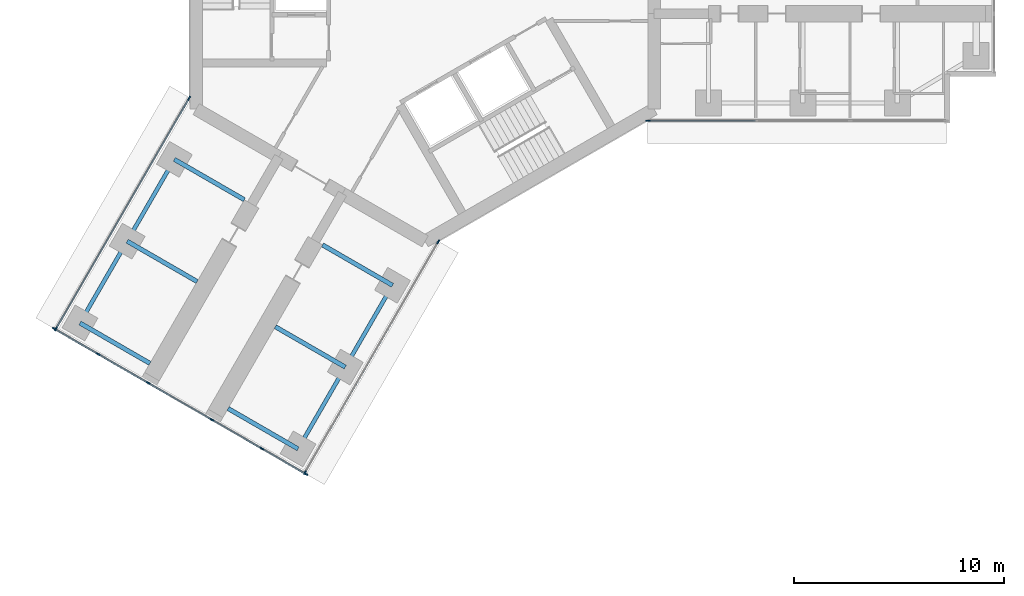
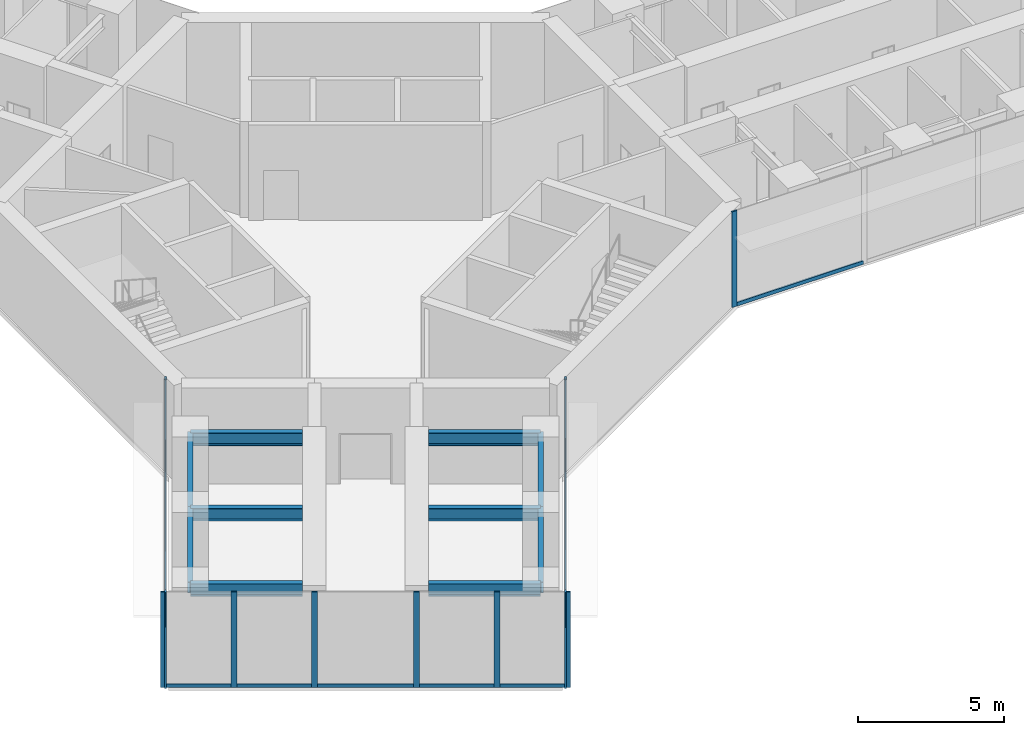
# One storey, part 2 of 23: 19 members, 10 beams, 4 elements without a shape of their own.
"""IFC4 building model written with IfcOpenShell, lengths in metres."""

from ifc_helpers import new_model, si_unit, direction, frame, origin, origin_2d, place, context, subcontext, project, spatial, rectangle, i_section, extrude, material, material_profile, profile_set, type_object, element, aggregate, save


model = new_model("IFC4")

# Units and contexts
model_context = context("Model", 3, precision=1e-05, world=origin(), true_north=direction((0.0, 1.0)))
body_context = subcontext(model_context, "Body", "Model", "MODEL_VIEW")
ifc_project = project(units=[si_unit("LENGTHUNIT", "METRE"), si_unit("AREAUNIT", "SQUARE_METRE"), si_unit("VOLUMEUNIT", "CUBIC_METRE"), si_unit("PLANEANGLEUNIT", "RADIAN"), si_unit("MASSUNIT", "GRAM", prefix="KILO")], contexts=[model_context])

# Site, building, storey
site_placement = place(None, origin())
site = spatial("IfcSite", under=ifc_project, at=site_placement, CompositionType="ELEMENT")
building_placement = place(site_placement, origin())
building = spatial("IfcBuilding", under=site, at=building_placement, Name="Upepo Twin Towers", CompositionType="ELEMENT")
storey_placement = place(building_placement, frame((0.0, 0.0, 157.5)))
storey = spatial("IfcBuildingStorey", under=building, at=storey_placement, Name="L38", CompositionType="ELEMENT", Elevation=157.5)

# Beams
ifc_material_1 = material(Name="Steel S355", Category="steel")
ifc_material_profile_1 = material_profile(ifc_material_1, i_section(OverallWidth=0.1904296875, OverallDepth=0.45703125, WebThickness=0.009033203125, FlangeThickness=0.014404296875, FilletRadius=0.01025390625, at=origin_2d()), Name="UB 457x191x74")
ifc_profile_set_1 = profile_set([ifc_material_profile_1], Name="Steel S355")
beam_type_1 = type_object("IfcBeamType", Name="Beam UB 457x191x74", PredefinedType="BEAM", material=ifc_profile_set_1)
beam_1_placement = place(storey_placement, frame((-1.553955078125, -14.69140625, 3.571533203125), z_axis=(-0.500013631625, -0.866017533419, 0.0), x_axis=(0.866017533419, -0.500013631625, 0.0)))
element("IfcBeam", 1, at=beam_1_placement, inside=storey, type_object=beam_type_1, Name="T1 edge beam CL 13.5-18.0", PredefinedType="BEAM", context=body_context, shape_type="SweptSolid", body=[
    extrude(i_section(OverallWidth=0.1904296875, OverallDepth=0.45703125, WebThickness=0.009033203125, FlangeThickness=0.014404296875, FilletRadius=0.01025390625, at=origin_2d()), origin(), (0.0, 0.0, 1.0), 4.499755859375),
])
beam_2_placement = place(storey_placement, frame((-3.803955078125, -18.58837890625, 3.571533203125), z_axis=(-0.499990139034, -0.866031096941, 0.0), x_axis=(0.866031096941, -0.499990139034, 0.0)))
element("IfcBeam", 2, at=beam_2_placement, inside=storey, type_object=beam_type_1, Name="T1 edge beam CL 18.0-22.5", PredefinedType="BEAM", context=body_context, shape_type="SweptSolid", body=[
    extrude(i_section(OverallWidth=0.1904296875, OverallDepth=0.45703125, WebThickness=0.009033203125, FlangeThickness=0.014404296875, FilletRadius=0.01025390625, at=origin_2d()), origin(), (0.0, 0.0, 1.0), 4.5),
])
beam_3_placement = place(storey_placement, frame((-11.946044921875, -8.69140625, 3.571533203125), z_axis=(-0.500013631625, -0.866017533419, 0.0), x_axis=(0.866017533419, -0.500013631625, 0.0)))
element("IfcBeam", 3, at=beam_3_placement, inside=storey, type_object=beam_type_1, Name="T1 edge beam CR 13.5-18.0", PredefinedType="BEAM", context=body_context, shape_type="SweptSolid", body=[
    extrude(i_section(OverallWidth=0.1904296875, OverallDepth=0.45703125, WebThickness=0.009033203125, FlangeThickness=0.014404296875, FilletRadius=0.01025390625, at=origin_2d()), origin(), (0.0, 0.0, 1.0), 4.499755859375),
])
beam_4_placement = place(storey_placement, frame((-14.196044921875, -12.58837890625, 3.571533203125), z_axis=(-0.499990139034, -0.866031096941, 0.0), x_axis=(0.866031096941, -0.499990139034, 0.0)))
element("IfcBeam", 4, at=beam_4_placement, inside=storey, type_object=beam_type_1, Name="T1 edge beam CR 18.0-22.5", PredefinedType="BEAM", context=body_context, shape_type="SweptSolid", body=[
    extrude(i_section(OverallWidth=0.1904296875, OverallDepth=0.45703125, WebThickness=0.009033203125, FlangeThickness=0.014404296875, FilletRadius=0.01025390625, at=origin_2d()), origin(), (0.0, 0.0, 1.0), 4.5),
])
ifc_material_2 = material(Name="Steel S355", Category="steel")
ifc_material_profile_2 = material_profile(ifc_material_2, i_section(OverallWidth=0.209228515625, OverallDepth=0.533203125, WebThickness=0.010009765625, FlangeThickness=0.015625, FilletRadius=0.0126953125, at=origin_2d()), Name="UB 533x210x92")
ifc_profile_set_2 = profile_set([ifc_material_profile_2], Name="Steel S355")
beam_type_2 = type_object("IfcBeamType", Name="Beam UB 533x210x92", PredefinedType="BEAM", material=ifc_profile_set_2)
beam_5_placement = place(storey_placement, frame((-1.553955078125, -14.69140625, 3.533447265625), z_axis=(-0.866006051527, 0.500033517596, 0.0), x_axis=(-0.500033517596, -0.866006051527, 0.0)))
element("IfcBeam", 5, at=beam_5_placement, inside=storey, type_object=beam_type_2, Name="T1 girder CL at 13.5", PredefinedType="BEAM", context=body_context, shape_type="SweptSolid", body=[
    extrude(i_section(OverallWidth=0.209228515625, OverallDepth=0.533203125, WebThickness=0.010009765625, FlangeThickness=0.015625, FilletRadius=0.0126953125, at=origin_2d()), origin(), (0.0, 0.0, 1.0), 3.849853515625),
])
beam_6_placement = place(storey_placement, frame((-3.803955078125, -18.58837890625, 3.533447265625), z_axis=(-0.866033512162, 0.499985955615, 0.0), x_axis=(-0.499985955615, -0.866033512162, 0.0)))
element("IfcBeam", 6, at=beam_6_placement, inside=storey, type_object=beam_type_2, Name="T1 girder CL at 18.0", PredefinedType="BEAM", context=body_context, shape_type="SweptSolid", body=[
    extrude(i_section(OverallWidth=0.209228515625, OverallDepth=0.533203125, WebThickness=0.010009765625, FlangeThickness=0.015625, FilletRadius=0.0126953125, at=origin_2d()), origin(), (0.0, 0.0, 1.0), 3.849609375),
])
for number, where, z_axis, x_axis, name in (
    (7, (-6.053955078125, -22.485595703125, 3.533447265625), (-0.866006051527, 0.500033517596, 0.0), (-0.500033517596, -0.866006051527, 0.0), "T1 girder CL at 22.5"),
    (8, (-11.946044921875, -8.69140625, 3.533447265625), (0.866006051527, -0.500033517596, 0.0), (0.500033517596, 0.866006051527, 0.0), "T1 girder CR at 13.5"),
    (9, (-14.196044921875, -12.58837890625, 3.533447265625), (0.866006051527, -0.500033517596, 0.0), (0.500033517596, 0.866006051527, 0.0), "T1 girder CR at 18.0"),
    (10, (-16.446044921875, -16.485595703125, 3.533447265625), (0.866006051527, -0.500033517596, 0.0), (0.500033517596, 0.866006051527, 0.0), "T1 girder CR at 22.5"),
):
    element("IfcBeam", number, at=place(storey_placement, frame(where, z_axis=z_axis, x_axis=x_axis)), inside=storey, type_object=beam_type_2, Name=name, PredefinedType="BEAM", context=body_context, shape_type="SweptSolid", body=[
        extrude(i_section(OverallWidth=0.209228515625, OverallDepth=0.533203125, WebThickness=0.010009765625, FlangeThickness=0.015625, FilletRadius=0.0126953125, at=origin_2d()), origin(), (0.0, 0.0, 1.0), 3.849853515625),
    ])

# Curtain wall, member
ifc_material_3 = material(Name="Aluminium and fritted glass", Category="aluminium")
curtain_wall_type = type_object("IfcCurtainWallType", Name="Tower curtain wall TW2, fritted glass", PredefinedType="NOTDEFINED", material=ifc_material_3)
curtain_wall_1_placement = place(storey_placement, origin())
curtain_wall_1 = element("IfcCurtainWall", 11, at=curtain_wall_1_placement, inside=storey, type_object=curtain_wall_type, Name="T1 L38 wing A flank R curtain wall", PredefinedType="NOTDEFINED")
ifc_material_4 = material(Name="Aluminium mullion", Category="aluminium")
ifc_material_profile_3 = material_profile(ifc_material_4, rectangle(XDim=0.06494140625, YDim=0.199951171875, at=origin_2d()), Name="MULLION 65x200")
ifc_profile_set_3 = profile_set([ifc_material_profile_3], Name="Aluminium mullion")
member_type_1 = type_object("IfcMemberType", Name="Mullion 65x200 TW2", PredefinedType="MULLION", material=ifc_profile_set_3)
member_1_placement = place(storey_placement, frame((10.61962890625, -6.85009765625, 0.0), z_axis=(0.0, 0.0, 1.0), x_axis=(0.0, -1.0, 0.0)))
member_1 = element("IfcMember", 12, at=member_1_placement, type_object=member_type_1, Name="T1 L38 wing A flank R curtain wall mullion 4", PredefinedType="MULLION", context=body_context, shape_type="SweptSolid", body=[
    extrude(rectangle(XDim=0.06494140625, YDim=0.199951171875, at=origin_2d()), origin(), (0.0, 0.0, 1.0), 4.0),
])

# Curtain wall, members
curtain_wall_2_placement = place(storey_placement, origin())
curtain_wall_2 = element("IfcCurtainWall", 13, at=curtain_wall_2_placement, inside=storey, type_object=curtain_wall_type, Name="T1 L38 wing C flank L curtain wall", PredefinedType="NOTDEFINED")
member_2_placement = place(storey_placement, frame((0.62255859375, -12.621826171875, 0.0), z_axis=(0.0, 0.0, 1.0), x_axis=(0.866025399212, -0.50000000792, 0.0)))
member_2 = element("IfcMember", 14, at=member_2_placement, type_object=member_type_1, Name="T1 L38 wing C flank L curtain wall mullion 1", PredefinedType="MULLION", context=body_context, shape_type="SweptSolid", body=[
    extrude(rectangle(XDim=0.06494140625, YDim=0.199951171875, at=origin_2d()), origin(), (0.0, 0.0, 1.0), 4.0),
])
member_3_placement = place(storey_placement, frame((-5.7265625, -23.61865234375, 0.0), z_axis=(0.0, 0.0, 1.0), x_axis=(0.866025399212, -0.50000000792, 0.0)))
member_3 = element("IfcMember", 15, at=member_3_placement, type_object=member_type_1, Name="T1 L38 wing C flank L curtain wall mullion 2", PredefinedType="MULLION", context=body_context, shape_type="SweptSolid", body=[
    extrude(rectangle(XDim=0.06494140625, YDim=0.199951171875, at=origin_2d()), origin(), (0.0, 0.0, 1.0), 4.0),
])

curtain_wall_3_placement = place(storey_placement, origin())
curtain_wall_3 = element("IfcCurtainWall", 16, at=curtain_wall_3_placement, inside=storey, type_object=curtain_wall_type, Name="T1 L38 wing C flank R curtain wall", PredefinedType="NOTDEFINED")
member_4_placement = place(storey_placement, frame((-17.591064453125, -16.7685546875, 0.0), z_axis=(0.0, 0.0, 1.0), x_axis=(-0.866025399212, 0.50000000792, 0.0)))
member_4 = element("IfcMember", 17, at=member_4_placement, type_object=member_type_1, Name="T1 L38 wing C flank R curtain wall mullion 1", PredefinedType="MULLION", context=body_context, shape_type="SweptSolid", body=[
    extrude(rectangle(XDim=0.06494140625, YDim=0.199951171875, at=origin_2d()), origin(), (0.0, 0.0, 1.0), 4.0),
])
member_5_placement = place(storey_placement, frame((-11.2421875, -5.77197265625, 0.0), z_axis=(0.0, 0.0, 1.0), x_axis=(-0.866025399212, 0.50000000792, 0.0)))
member_5 = element("IfcMember", 18, at=member_5_placement, type_object=member_type_1, Name="T1 L38 wing C flank R curtain wall mullion 2", PredefinedType="MULLION", context=body_context, shape_type="SweptSolid", body=[
    extrude(rectangle(XDim=0.06494140625, YDim=0.199951171875, at=origin_2d()), origin(), (0.0, 0.0, 1.0), 4.0),
])

curtain_wall_4_placement = place(storey_placement, origin())
curtain_wall_4 = element("IfcCurtainWall", 19, at=curtain_wall_4_placement, inside=storey, type_object=curtain_wall_type, Name="T1 L38 wing C nose curtain wall", PredefinedType="NOTDEFINED")
member_6_placement = place(storey_placement, frame((-17.665771484375, -16.762939453125, 0.0), z_axis=(0.0, 0.0, 1.0), x_axis=(0.499999972355, 0.866025419745, 0.0)))
member_6 = element("IfcMember", 20, at=member_6_placement, type_object=member_type_1, Name="T1 L38 wing C nose curtain wall mullion 1", PredefinedType="MULLION", context=body_context, shape_type="SweptSolid", body=[
    extrude(rectangle(XDim=0.06494140625, YDim=0.199951171875, at=origin_2d()), origin(), (0.0, 0.0, 1.0), 4.0),
])
member_7_placement = place(storey_placement, frame((-15.572021484375, -17.9716796875, 0.0), z_axis=(0.0, 0.0, 1.0), x_axis=(0.499999972355, 0.866025419745, 0.0)))
member_7 = element("IfcMember", 21, at=member_7_placement, type_object=member_type_1, Name="T1 L38 wing C nose curtain wall mullion 2", PredefinedType="MULLION", context=body_context, shape_type="SweptSolid", body=[
    extrude(rectangle(XDim=0.06494140625, YDim=0.199951171875, at=origin_2d()), origin(), (0.0, 0.0, 1.0), 4.0),
])
member_8_placement = place(storey_placement, frame((-13.1904296875, -19.3466796875, 0.0), z_axis=(0.0, 0.0, 1.0), x_axis=(0.499999972355, 0.866025419745, 0.0)))
member_8 = element("IfcMember", 22, at=member_8_placement, type_object=member_type_1, Name="T1 L38 wing C nose curtain wall mullion 3", PredefinedType="MULLION", context=body_context, shape_type="SweptSolid", body=[
    extrude(rectangle(XDim=0.06494140625, YDim=0.199951171875, at=origin_2d()), origin(), (0.0, 0.0, 1.0), 4.0),
])
member_9_placement = place(storey_placement, frame((-10.159423828125, -21.0966796875, 0.0), z_axis=(0.0, 0.0, 1.0), x_axis=(0.499999972355, 0.866025419745, 0.0)))
member_9 = element("IfcMember", 23, at=member_9_placement, type_object=member_type_1, Name="T1 L38 wing C nose curtain wall mullion 4", PredefinedType="MULLION", context=body_context, shape_type="SweptSolid", body=[
    extrude(rectangle(XDim=0.06494140625, YDim=0.199951171875, at=origin_2d()), origin(), (0.0, 0.0, 1.0), 4.0),
])
member_10_placement = place(storey_placement, frame((-7.77783203125, -22.4716796875, 0.0), z_axis=(0.0, 0.0, 1.0), x_axis=(0.499999972355, 0.866025419745, 0.0)))
member_10 = element("IfcMember", 24, at=member_10_placement, type_object=member_type_1, Name="T1 L38 wing C nose curtain wall mullion 5", PredefinedType="MULLION", context=body_context, shape_type="SweptSolid", body=[
    extrude(rectangle(XDim=0.06494140625, YDim=0.199951171875, at=origin_2d()), origin(), (0.0, 0.0, 1.0), 4.0),
])
member_11_placement = place(storey_placement, frame((-5.684326171875, -23.680419921875, 0.0), z_axis=(0.0, 0.0, 1.0), x_axis=(0.499999972355, 0.866025419745, 0.0)))
member_11 = element("IfcMember", 25, at=member_11_placement, type_object=member_type_1, Name="T1 L38 wing C nose curtain wall mullion 6", PredefinedType="MULLION", context=body_context, shape_type="SweptSolid", body=[
    extrude(rectangle(XDim=0.06494140625, YDim=0.199951171875, at=origin_2d()), origin(), (0.0, 0.0, 1.0), 4.0),
])

# Member
ifc_material_5 = material(Name="Aluminium transom", Category="aluminium")
ifc_material_profile_4 = material_profile(ifc_material_5, rectangle(XDim=0.06494140625, YDim=0.14990234375, at=origin_2d()), Name="TRANSOM 65x150")
ifc_profile_set_4 = profile_set([ifc_material_profile_4], Name="Aluminium transom")
member_type_2 = type_object("IfcMemberType", Name="Transom 65x150 TW2", PredefinedType="USERDEFINED", material=ifc_profile_set_4)
member_12_placement = place(storey_placement, frame((15.717529296875, -6.85009765625, 0.074951171875), z_axis=(-1.0, 0.0, 0.0), x_axis=(0.0, -1.0, 0.0)))
member_12 = element("IfcMember", 26, at=member_12_placement, type_object=member_type_2, Name="T1 L38 wing A flank R curtain wall transom 3", ObjectType="TRANSOM", PredefinedType="USERDEFINED", context=body_context, shape_type="SweptSolid", body=[
    extrude(rectangle(XDim=0.06494140625, YDim=0.14990234375, at=origin_2d()), origin(), (0.0, 0.0, 1.0), 5.0654296875),
])

aggregate(curtain_wall_1, [member_1, member_12])

member_13_placement = place(storey_placement, frame((0.606201171875, -12.64990234375, 0.074951171875), z_axis=(-0.499996807431, -0.866027247007, 0.0), x_axis=(0.866027247007, -0.499996807431, 0.0)))
member_13 = element("IfcMember", 27, at=member_13_placement, type_object=member_type_2, Name="T1 L38 wing C flank L curtain wall transom 1", ObjectType="TRANSOM", PredefinedType="USERDEFINED", context=body_context, shape_type="SweptSolid", body=[
    extrude(rectangle(XDim=0.06494140625, YDim=0.14990234375, at=origin_2d()), origin(), (0.0, 0.0, 1.0), 12.6328125),
])

aggregate(curtain_wall_2, [member_2, member_3, member_13])

member_14_placement = place(storey_placement, frame((-17.57470703125, -16.740478515625, 0.074951171875), z_axis=(0.499996807431, 0.866027247007, 0.0), x_axis=(-0.866027247007, 0.499996807431, 0.0)))
member_14 = element("IfcMember", 28, at=member_14_placement, type_object=member_type_2, Name="T1 L38 wing C flank R curtain wall transom 1", ObjectType="TRANSOM", PredefinedType="USERDEFINED", context=body_context, shape_type="SweptSolid", body=[
    extrude(rectangle(XDim=0.06494140625, YDim=0.14990234375, at=origin_2d()), origin(), (0.0, 0.0, 1.0), 12.6328125),
])

aggregate(curtain_wall_3, [member_4, member_5, member_14])

member_15_placement = place(storey_placement, frame((-17.6376953125, -16.779296875, 0.074951171875), z_axis=(0.866069800327, -0.499923095048, 0.0), x_axis=(0.499923095048, 0.866069800327, 0.0)))
member_15 = element("IfcMember", 29, at=member_15_placement, type_object=member_type_2, Name="T1 L38 wing C nose curtain wall transom 1", ObjectType="TRANSOM", PredefinedType="USERDEFINED", context=body_context, shape_type="SweptSolid", body=[
    extrude(rectangle(XDim=0.06494140625, YDim=0.14990234375, at=origin_2d()), origin(), (0.0, 0.0, 1.0), 2.352294921875),
])

member_16_placement = place(storey_placement, frame((-15.5439453125, -17.988037109375, 0.074951171875), z_axis=(0.8660523339, -0.49995335277, 0.0), x_axis=(0.49995335277, 0.8660523339, 0.0)))
member_16 = element("IfcMember", 30, at=member_16_placement, type_object=member_type_2, Name="T1 L38 wing C nose curtain wall transom 2", ObjectType="TRANSOM", PredefinedType="USERDEFINED", context=body_context, shape_type="SweptSolid", body=[
    extrude(rectangle(XDim=0.06494140625, YDim=0.14990234375, at=origin_2d()), origin(), (0.0, 0.0, 1.0), 2.684814453125),
])

member_17_placement = place(storey_placement, frame((-13.162353515625, -19.363037109375, 0.074951171875), z_axis=(0.866056579774, -0.499945997713, 0.0), x_axis=(0.499945997713, 0.866056579774, 0.0)))
member_17 = element("IfcMember", 31, at=member_17_placement, type_object=member_type_2, Name="T1 L38 wing C nose curtain wall transom 3", ObjectType="TRANSOM", PredefinedType="USERDEFINED", context=body_context, shape_type="SweptSolid", body=[
    extrude(rectangle(XDim=0.06494140625, YDim=0.14990234375, at=origin_2d()), origin(), (0.0, 0.0, 1.0), 3.43505859375),
])

member_18_placement = place(storey_placement, frame((-10.13134765625, -21.113037109375, 0.074951171875), z_axis=(0.8660523339, -0.49995335277, 0.0), x_axis=(0.49995335277, 0.8660523339, 0.0)))
member_18 = element("IfcMember", 32, at=member_18_placement, type_object=member_type_2, Name="T1 L38 wing C nose curtain wall transom 4", ObjectType="TRANSOM", PredefinedType="USERDEFINED", context=body_context, shape_type="SweptSolid", body=[
    extrude(rectangle(XDim=0.06494140625, YDim=0.14990234375, at=origin_2d()), origin(), (0.0, 0.0, 1.0), 2.684814453125),
])

member_19_placement = place(storey_placement, frame((-7.749755859375, -22.488037109375, 0.074951171875), z_axis=(0.866024864377, -0.50000093428, 0.0), x_axis=(0.50000093428, 0.866024864377, 0.0)))
member_19 = element("IfcMember", 33, at=member_19_placement, type_object=member_type_2, Name="T1 L38 wing C nose curtain wall transom 5", ObjectType="TRANSOM", PredefinedType="USERDEFINED", context=body_context, shape_type="SweptSolid", body=[
    extrude(rectangle(XDim=0.06494140625, YDim=0.14990234375, at=origin_2d()), origin(), (0.0, 0.0, 1.0), 2.3525390625),
])

aggregate(curtain_wall_4, [member_6, member_7, member_8, member_9, member_10, member_11, member_15, member_16, member_17, member_18, member_19])

save(model, "model.ifc")
